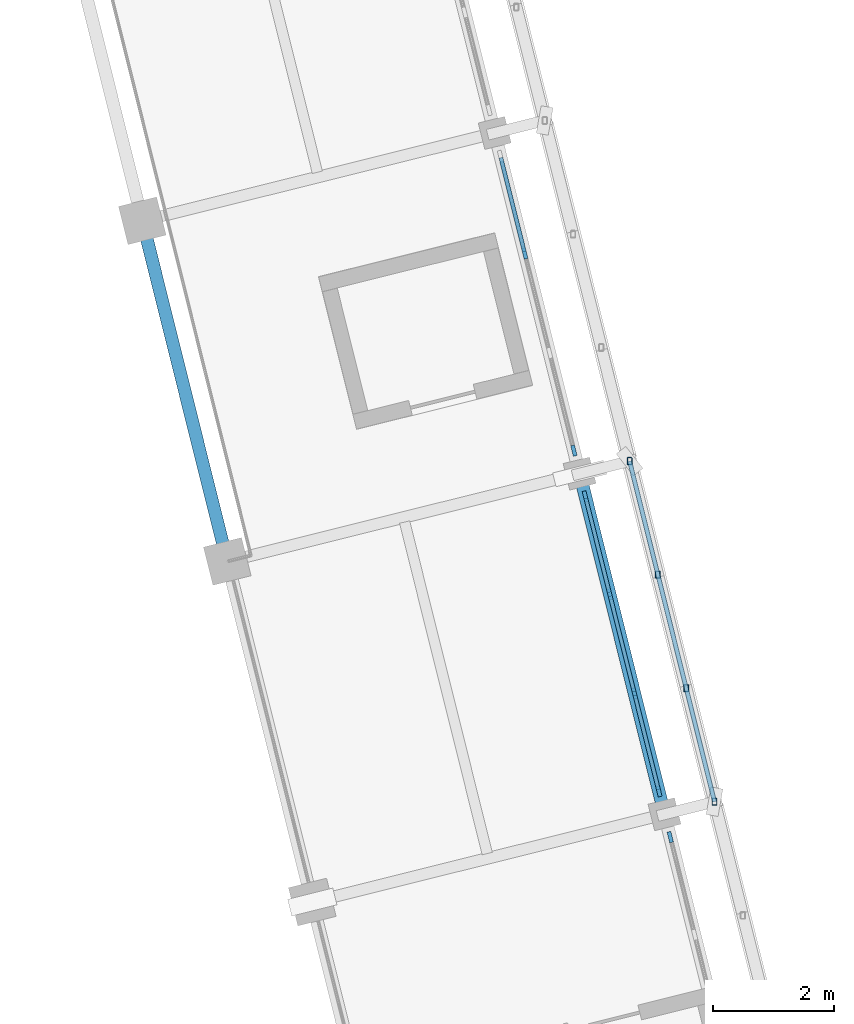
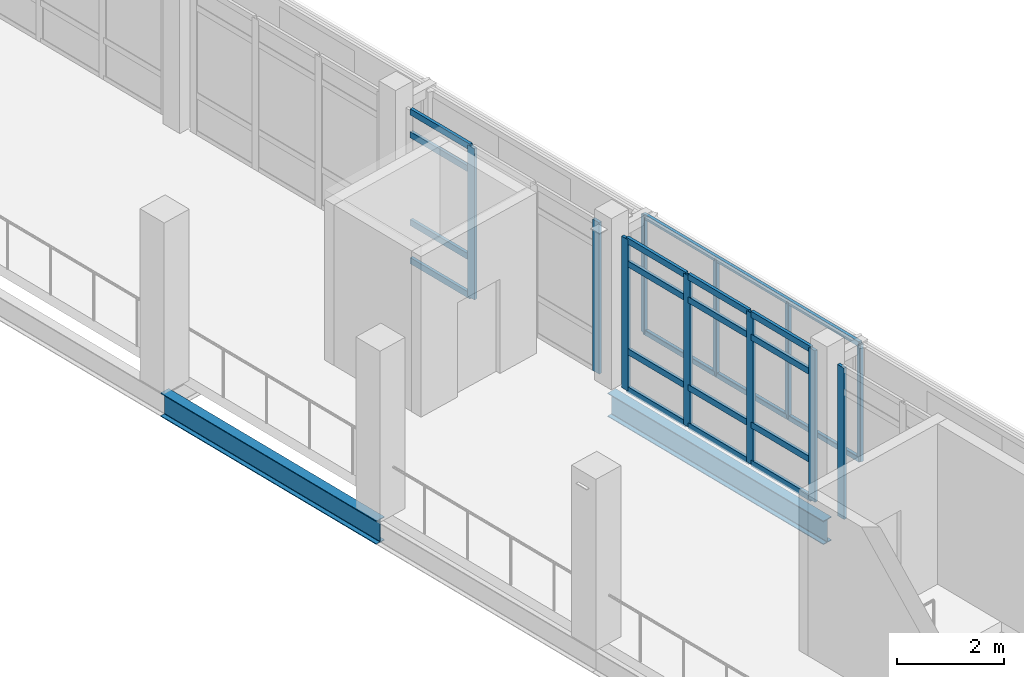
# One storey, part 20 of 117: 29 members, 2 beams, 3 elements without a shape of their own.
"""IFC4 building model written with IfcOpenShell, lengths in metres."""

from ifc_helpers import new_model, si_unit, direction, frame, origin, origin_2d, place, context, subcontext, project, spatial, rectangle, hollow_rectangle, i_section, extrude, material, material_profile, profile_set, type_object, element, aggregate, save


model = new_model("IFC4")

# Units and contexts
model_context = context("Model", 3, precision=1e-05, world=origin(), true_north=direction((0.0, 1.0)))
body_context = subcontext(model_context, "Body", "Model", "MODEL_VIEW")
ifc_project = project(units=[si_unit("LENGTHUNIT", "METRE"), si_unit("AREAUNIT", "SQUARE_METRE"), si_unit("VOLUMEUNIT", "CUBIC_METRE"), si_unit("PLANEANGLEUNIT", "RADIAN"), si_unit("MASSUNIT", "GRAM", prefix="KILO")], contexts=[model_context])

# Site, building, storey
site_placement = place(None, origin())
site = spatial("IfcSite", under=ifc_project, at=site_placement, CompositionType="ELEMENT")
building_placement = place(site_placement, origin())
building = spatial("IfcBuilding", under=site, at=building_placement, Name="Cinderway Yard Community Centre", CompositionType="ELEMENT")
storey_placement = place(building_placement, frame((0.0, 0.0, 9.0)))
storey = spatial("IfcBuildingStorey", under=building, at=storey_placement, Name="L02", CompositionType="ELEMENT", Elevation=9.0)

# Curtain wall, member
ifc_material_1 = material(Name="Aluminium 6063-T6", Category="aluminium")
curtain_wall_type = type_object("IfcCurtainWallType", Name="ENV-CW-TYPE-07", PredefinedType="USERDEFINED", material=ifc_material_1)
curtain_wall_1_placement = place(storey_placement, origin())
curtain_wall_1 = element("IfcCurtainWall", 1, at=curtain_wall_1_placement, inside=storey, type_object=curtain_wall_type, Name="Main Hall Courtyard Curtain Wall ENV-CW-L02-HS-0020", ObjectType="GLAZED CURTAIN WALL", PredefinedType="USERDEFINED")
ifc_material_profile_1 = material_profile(ifc_material_1, rectangle(XDim=0.06494140625, YDim=0.179931640625, at=origin_2d()), Name="Aluminium 6063-T6")
ifc_profile_set_1 = profile_set([ifc_material_profile_1], Name="Aluminium 6063-T6")
member_type_1 = type_object("IfcMemberType", Name="ENV-CW-MULL-180", PredefinedType="MULLION", material=ifc_profile_set_1)
member_1_placement = place(storey_placement, frame((51.490234375, 38.591796875, 0.0), z_axis=(0.0, 0.0, 1.0), x_axis=(-0.97030436752, -0.241887234827, 0.0)))
member_1 = element("IfcMember", 2, at=member_1_placement, type_object=member_type_1, Name="CW-07 mullion 4", PredefinedType="MULLION", context=body_context, shape_type="SweptSolid", body=[
    extrude(rectangle(XDim=0.06494140625, YDim=0.179931640625, at=origin_2d()), origin(), (0.0, 0.0, 1.0), 3.449951171875),
])
aggregate(curtain_wall_1, [member_1])

# Curtain wall, members
curtain_wall_2_placement = place(storey_placement, origin())
curtain_wall_2 = element("IfcCurtainWall", 3, at=curtain_wall_2_placement, inside=storey, type_object=curtain_wall_type, Name="Main Hall Courtyard Curtain Wall ENV-CW-L02-HS-0021", ObjectType="GLAZED CURTAIN WALL", PredefinedType="USERDEFINED")
member_2_placement = place(storey_placement, frame((51.3017578125, 39.34814453125, 0.0), z_axis=(0.0, 0.0, 1.0), x_axis=(-0.97030436752, -0.241887234827, 0.0)))
member_2 = element("IfcMember", 4, at=member_2_placement, type_object=member_type_1, Name="CW-07 mullion 1", PredefinedType="MULLION", context=body_context, shape_type="SweptSolid", body=[
    extrude(rectangle(XDim=0.06494140625, YDim=0.179931640625, at=origin_2d()), origin(), (0.0, 0.0, 1.0), 3.449951171875),
])
member_3_placement = place(storey_placement, frame((50.8994140625, 40.96240234375, 0.0), z_axis=(0.0, 0.0, 1.0), x_axis=(-0.97030436752, -0.241887234827, 0.0)))
member_3 = element("IfcMember", 5, at=member_3_placement, type_object=member_type_1, Name="CW-07 mullion 2", PredefinedType="MULLION", context=body_context, shape_type="SweptSolid", body=[
    extrude(rectangle(XDim=0.06494140625, YDim=0.179931640625, at=origin_2d()), origin(), (0.0, 0.0, 1.0), 3.449951171875),
])
member_4_placement = place(storey_placement, frame((50.48974609375, 42.605712890625, 0.0), z_axis=(0.0, 0.0, 1.0), x_axis=(-0.97030436752, -0.241887234827, 0.0)))
member_4 = element("IfcMember", 6, at=member_4_placement, type_object=member_type_1, Name="CW-07 mullion 3", PredefinedType="MULLION", context=body_context, shape_type="SweptSolid", body=[
    extrude(rectangle(XDim=0.06494140625, YDim=0.179931640625, at=origin_2d()), origin(), (0.0, 0.0, 1.0), 3.449951171875),
])
member_5_placement = place(storey_placement, frame((50.087158203125, 44.219970703125, 0.0), z_axis=(0.0, 0.0, 1.0), x_axis=(-0.97030436752, -0.241887234827, 0.0)))
member_5 = element("IfcMember", 7, at=member_5_placement, type_object=member_type_1, Name="CW-07 mullion 4", PredefinedType="MULLION", context=body_context, shape_type="SweptSolid", body=[
    extrude(rectangle(XDim=0.06494140625, YDim=0.179931640625, at=origin_2d()), origin(), (0.0, 0.0, 1.0), 3.449951171875),
])

curtain_wall_3_placement = place(storey_placement, origin())
curtain_wall_3 = element("IfcCurtainWall", 8, at=curtain_wall_3_placement, inside=storey, type_object=curtain_wall_type, Name="Main Hall Courtyard Curtain Wall ENV-CW-L02-HS-0022", ObjectType="GLAZED CURTAIN WALL", PredefinedType="USERDEFINED")
member_6_placement = place(storey_placement, frame((49.898681640625, 44.97607421875, 0.0), z_axis=(0.0, 0.0, 1.0), x_axis=(-0.970292848611, -0.241933436991, 0.0)))
member_6 = element("IfcMember", 9, at=member_6_placement, type_object=member_type_1, Name="CW-07 mullion 1", PredefinedType="MULLION", context=body_context, shape_type="SweptSolid", body=[
    extrude(rectangle(XDim=0.06494140625, YDim=0.179931640625, at=origin_2d()), origin(), (0.0, 0.0, 1.0), 3.449951171875),
])
member_7_placement = place(storey_placement, frame((49.086669921875, 48.23291015625, 0.0), z_axis=(0.0, 0.0, 1.0), x_axis=(-0.970292848611, -0.241933436991, 0.0)))
member_7 = element("IfcMember", 10, at=member_7_placement, type_object=member_type_1, Name="CW-07 mullion 3", PredefinedType="MULLION", context=body_context, shape_type="SweptSolid", body=[
    extrude(rectangle(XDim=0.06494140625, YDim=0.179931640625, at=origin_2d()), origin(), (0.0, 0.0, 1.0), 3.449951171875),
])

# Member
ifc_material_profile_2 = material_profile(ifc_material_1, rectangle(XDim=0.06494140625, YDim=0.139892578125, at=origin_2d()), Name="Aluminium 6063-T6")
ifc_profile_set_2 = profile_set([ifc_material_profile_2], Name="Aluminium 6063-T6")
member_type_2 = type_object("IfcMemberType", Name="ENV-CW-TRAN-140", PredefinedType="USERDEFINED", material=ifc_profile_set_2)
member_8_placement = place(storey_placement, frame((51.29443359375, 39.377197265625, 0.030029296875), z_axis=(-0.241926573916, 0.970294559829, 0.0), x_axis=(-0.970294559829, -0.241926573916, 0.0)))
member_8 = element("IfcMember", 11, at=member_8_placement, type_object=member_type_2, Name="CW-07 transom 1.1", ObjectType="TRANSOM", PredefinedType="USERDEFINED", context=body_context, shape_type="SweptSolid", body=[
    extrude(rectangle(XDim=0.06494140625, YDim=0.139892578125, at=origin_2d()), origin(), (0.0, 0.0, 1.0), 1.603515625),
])

member_9_placement = place(storey_placement, frame((51.29443359375, 39.377197265625, 0.89990234375), z_axis=(-0.241926573916, 0.970294559829, 0.0), x_axis=(-0.970294559829, -0.241926573916, 0.0)))
member_9 = element("IfcMember", 12, at=member_9_placement, type_object=member_type_2, Name="CW-07 transom 1.2", ObjectType="TRANSOM", PredefinedType="USERDEFINED", context=body_context, shape_type="SweptSolid", body=[
    extrude(rectangle(XDim=0.06494140625, YDim=0.139892578125, at=origin_2d()), origin(), (0.0, 0.0, 1.0), 1.603515625),
])

member_10_placement = place(storey_placement, frame((51.29443359375, 39.377197265625, 2.89990234375), z_axis=(-0.241926573916, 0.970294559829, 0.0), x_axis=(-0.970294559829, -0.241926573916, 0.0)))
member_10 = element("IfcMember", 13, at=member_10_placement, type_object=member_type_2, Name="CW-07 transom 1.3", ObjectType="TRANSOM", PredefinedType="USERDEFINED", context=body_context, shape_type="SweptSolid", body=[
    extrude(rectangle(XDim=0.06494140625, YDim=0.139892578125, at=origin_2d()), origin(), (0.0, 0.0, 1.0), 1.603515625),
])

member_11_placement = place(storey_placement, frame((51.29443359375, 39.377197265625, 3.419921875), z_axis=(-0.241926573916, 0.970294559829, 0.0), x_axis=(-0.970294559829, -0.241926573916, 0.0)))
member_11 = element("IfcMember", 14, at=member_11_placement, type_object=member_type_2, Name="CW-07 transom 1.4", ObjectType="TRANSOM", PredefinedType="USERDEFINED", context=body_context, shape_type="SweptSolid", body=[
    extrude(rectangle(XDim=0.06494140625, YDim=0.139892578125, at=origin_2d()), origin(), (0.0, 0.0, 1.0), 1.603515625),
])

member_12_placement = place(storey_placement, frame((50.89208984375, 40.991455078125, 0.030029296875), z_axis=(-0.241937832655, 0.970291752583, 0.0), x_axis=(-0.970291752583, -0.241937832655, 0.0)))
member_12 = element("IfcMember", 15, at=member_12_placement, type_object=member_type_2, Name="CW-07 transom 2.1", ObjectType="TRANSOM", PredefinedType="USERDEFINED", context=body_context, shape_type="SweptSolid", body=[
    extrude(rectangle(XDim=0.06494140625, YDim=0.139892578125, at=origin_2d()), origin(), (0.0, 0.0, 1.0), 1.6337890625),
])

member_13_placement = place(storey_placement, frame((50.89208984375, 40.991455078125, 0.89990234375), z_axis=(-0.241937832655, 0.970291752583, 0.0), x_axis=(-0.970291752583, -0.241937832655, 0.0)))
member_13 = element("IfcMember", 16, at=member_13_placement, type_object=member_type_2, Name="CW-07 transom 2.2", ObjectType="TRANSOM", PredefinedType="USERDEFINED", context=body_context, shape_type="SweptSolid", body=[
    extrude(rectangle(XDim=0.06494140625, YDim=0.139892578125, at=origin_2d()), origin(), (0.0, 0.0, 1.0), 1.6337890625),
])

member_14_placement = place(storey_placement, frame((50.89208984375, 40.991455078125, 2.89990234375), z_axis=(-0.241937832655, 0.970291752583, 0.0), x_axis=(-0.970291752583, -0.241937832655, 0.0)))
member_14 = element("IfcMember", 17, at=member_14_placement, type_object=member_type_2, Name="CW-07 transom 2.3", ObjectType="TRANSOM", PredefinedType="USERDEFINED", context=body_context, shape_type="SweptSolid", body=[
    extrude(rectangle(XDim=0.06494140625, YDim=0.139892578125, at=origin_2d()), origin(), (0.0, 0.0, 1.0), 1.6337890625),
])

member_15_placement = place(storey_placement, frame((50.89208984375, 40.991455078125, 3.419921875), z_axis=(-0.241937832655, 0.970291752583, 0.0), x_axis=(-0.970291752583, -0.241937832655, 0.0)))
member_15 = element("IfcMember", 18, at=member_15_placement, type_object=member_type_2, Name="CW-07 transom 2.4", ObjectType="TRANSOM", PredefinedType="USERDEFINED", context=body_context, shape_type="SweptSolid", body=[
    extrude(rectangle(XDim=0.06494140625, YDim=0.139892578125, at=origin_2d()), origin(), (0.0, 0.0, 1.0), 1.6337890625),
])

member_16_placement = place(storey_placement, frame((50.482421875, 42.634765625, 0.030029296875), z_axis=(-0.241926573916, 0.970294559829, 0.0), x_axis=(-0.970294559829, -0.241926573916, 0.0)))
member_16 = element("IfcMember", 19, at=member_16_placement, type_object=member_type_2, Name="CW-07 transom 3.1", ObjectType="TRANSOM", PredefinedType="USERDEFINED", context=body_context, shape_type="SweptSolid", body=[
    extrude(rectangle(XDim=0.06494140625, YDim=0.139892578125, at=origin_2d()), origin(), (0.0, 0.0, 1.0), 1.603515625),
])

member_17_placement = place(storey_placement, frame((50.482421875, 42.634765625, 0.89990234375), z_axis=(-0.241926573916, 0.970294559829, 0.0), x_axis=(-0.970294559829, -0.241926573916, 0.0)))
member_17 = element("IfcMember", 20, at=member_17_placement, type_object=member_type_2, Name="CW-07 transom 3.2", ObjectType="TRANSOM", PredefinedType="USERDEFINED", context=body_context, shape_type="SweptSolid", body=[
    extrude(rectangle(XDim=0.06494140625, YDim=0.139892578125, at=origin_2d()), origin(), (0.0, 0.0, 1.0), 1.603515625),
])

member_18_placement = place(storey_placement, frame((50.482421875, 42.634765625, 2.89990234375), z_axis=(-0.241926573916, 0.970294559829, 0.0), x_axis=(-0.970294559829, -0.241926573916, 0.0)))
member_18 = element("IfcMember", 21, at=member_18_placement, type_object=member_type_2, Name="CW-07 transom 3.3", ObjectType="TRANSOM", PredefinedType="USERDEFINED", context=body_context, shape_type="SweptSolid", body=[
    extrude(rectangle(XDim=0.06494140625, YDim=0.139892578125, at=origin_2d()), origin(), (0.0, 0.0, 1.0), 1.603515625),
])

member_19_placement = place(storey_placement, frame((50.482421875, 42.634765625, 3.419921875), z_axis=(-0.241926573916, 0.970294559829, 0.0), x_axis=(-0.970294559829, -0.241926573916, 0.0)))
member_19 = element("IfcMember", 22, at=member_19_placement, type_object=member_type_2, Name="CW-07 transom 3.4", ObjectType="TRANSOM", PredefinedType="USERDEFINED", context=body_context, shape_type="SweptSolid", body=[
    extrude(rectangle(XDim=0.06494140625, YDim=0.139892578125, at=origin_2d()), origin(), (0.0, 0.0, 1.0), 1.603515625),
])

aggregate(curtain_wall_2, [member_2, member_3, member_4, member_5, member_8, member_9, member_10, member_11, member_12, member_13, member_14, member_15, member_16, member_17, member_18, member_19])

member_20_placement = place(storey_placement, frame((49.079345703125, 48.26220703125, 0.030029296875), z_axis=(-0.241962318399, 0.970285646846, 0.0), x_axis=(-0.970285646846, -0.241962318399, 0.0)))
member_20 = element("IfcMember", 23, at=member_20_placement, type_object=member_type_2, Name="CW-07 transom 3.1", ObjectType="TRANSOM", PredefinedType="USERDEFINED", context=body_context, shape_type="SweptSolid", body=[
    extrude(rectangle(XDim=0.06494140625, YDim=0.139892578125, at=origin_2d()), origin(), (0.0, 0.0, 1.0), 1.603271484375),
])

member_21_placement = place(storey_placement, frame((49.079345703125, 48.26220703125, 0.89990234375), z_axis=(-0.241962318399, 0.970285646846, 0.0), x_axis=(-0.970285646846, -0.241962318399, 0.0)))
member_21 = element("IfcMember", 24, at=member_21_placement, type_object=member_type_2, Name="CW-07 transom 3.2", ObjectType="TRANSOM", PredefinedType="USERDEFINED", context=body_context, shape_type="SweptSolid", body=[
    extrude(rectangle(XDim=0.06494140625, YDim=0.139892578125, at=origin_2d()), origin(), (0.0, 0.0, 1.0), 1.603271484375),
])

member_22_placement = place(storey_placement, frame((49.079345703125, 48.26220703125, 2.89990234375), z_axis=(-0.241962318399, 0.970285646846, 0.0), x_axis=(-0.970285646846, -0.241962318399, 0.0)))
member_22 = element("IfcMember", 25, at=member_22_placement, type_object=member_type_2, Name="CW-07 transom 3.3", ObjectType="TRANSOM", PredefinedType="USERDEFINED", context=body_context, shape_type="SweptSolid", body=[
    extrude(rectangle(XDim=0.06494140625, YDim=0.139892578125, at=origin_2d()), origin(), (0.0, 0.0, 1.0), 1.603271484375),
])

member_23_placement = place(storey_placement, frame((49.079345703125, 48.26220703125, 3.419921875), z_axis=(-0.241962318399, 0.970285646846, 0.0), x_axis=(-0.970285646846, -0.241962318399, 0.0)))
member_23 = element("IfcMember", 26, at=member_23_placement, type_object=member_type_2, Name="CW-07 transom 3.4", ObjectType="TRANSOM", PredefinedType="USERDEFINED", context=body_context, shape_type="SweptSolid", body=[
    extrude(rectangle(XDim=0.06494140625, YDim=0.139892578125, at=origin_2d()), origin(), (0.0, 0.0, 1.0), 1.603271484375),
])

aggregate(curtain_wall_3, [member_6, member_7, member_20, member_21, member_22, member_23])

# Members
ifc_material_2 = material(Name="Steel S355", Category="steel")
ifc_material_profile_3 = material_profile(ifc_material_2, hollow_rectangle(XDim=0.080078125, YDim=0.1201171875, WallThickness=0.00634765625, InnerFilletRadius=0.00634765625, OuterFilletRadius=0.0126953125, at=origin_2d()), Name="Steel S355")
ifc_profile_set_3 = profile_set([ifc_material_profile_3], Name="Steel S355")
member_type_3 = type_object("IfcMemberType", Name="ENV-MEM-SCREEN-RAIL-120", PredefinedType="STRINGER", material=ifc_profile_set_3)
member_24_placement = place(storey_placement, frame((52.220947265625, 39.176025390625, 0.68994140625), z_axis=(0.0, 0.0, 1.0), x_axis=(1.0, 0.0, 0.0)))
element("IfcMember", 27, at=member_24_placement, inside=storey, type_object=member_type_3, Name="Screen vertical mullion 0902", PredefinedType="STRINGER", context=body_context, shape_type="SweptSolid", body=[
    extrude(hollow_rectangle(XDim=0.080078125, YDim=0.1201171875, WallThickness=0.00634765625, InnerFilletRadius=0.00634765625, OuterFilletRadius=0.0126953125, at=origin_2d()), origin(), (0.0, 0.0, 1.0), 2.670166015625),
])
for number, where, z_axis, x_axis, name in (
    (28, (52.220947265625, 39.176025390625, 0.7099609375), (-0.241862090534, 0.970310635396, 0.0), (-0.970310635396, -0.241862090534, 0.0), "Screen support rail 0904-BOT"),
    (29, (52.220947265625, 39.176025390625, 3.340087890625), (-0.241862090534, 0.970310635396, 0.0), (-0.970310635396, -0.241862090534, 0.0), "Screen support rail 0905-TOP"),
):
    element("IfcMember", number, at=place(storey_placement, frame(where, z_axis=z_axis, x_axis=x_axis)), inside=storey, type_object=member_type_3, Name=name, PredefinedType="STRINGER", context=body_context, shape_type="SweptSolid", body=[
        extrude(hollow_rectangle(XDim=0.080078125, YDim=0.1201171875, WallThickness=0.00634765625, InnerFilletRadius=0.00634765625, OuterFilletRadius=0.0126953125, at=origin_2d()), origin(), (0.0, 0.0, 1.0), 5.800048828125),
    ])
for number, where, z_axis, x_axis, name in (
    (30, (51.7529296875, 41.052001953125, 0.68994140625), (0.0, 0.0, 1.0), (1.0, 0.0, 0.0), "Screen vertical mullion 0906"),
    (31, (51.285888671875, 42.927978515625, 0.68994140625), (0.0, 0.0, 1.0), (1.0, 0.0, 0.0), "Screen vertical mullion 0907"),
    (32, (50.818115234375, 44.803955078125, 0.68994140625), (0.0, 0.0, 1.0), (1.0, 0.0, 0.0), "Screen vertical mullion 0908"),
):
    element("IfcMember", number, at=place(storey_placement, frame(where, z_axis=z_axis, x_axis=x_axis)), inside=storey, type_object=member_type_3, Name=name, PredefinedType="STRINGER", context=body_context, shape_type="SweptSolid", body=[
        extrude(hollow_rectangle(XDim=0.080078125, YDim=0.1201171875, WallThickness=0.00634765625, InnerFilletRadius=0.00634765625, OuterFilletRadius=0.0126953125, at=origin_2d()), origin(), (0.0, 0.0, 1.0), 2.670166015625),
    ])

# Beams
ifc_material_profile_4 = material_profile(ifc_material_2, i_section(OverallWidth=0.2109375, OverallDepth=0.5390625, WebThickness=0.010986328125, FlangeThickness=0.017333984375, FilletRadius=0.013916015625, at=origin_2d()), Name="Steel S355")
ifc_profile_set_4 = profile_set([ifc_material_profile_4], Name="Steel S355")
beam_type = type_object("IfcBeamType", Name="STR-BM-W530X109", PredefinedType="BEAM", material=ifc_profile_set_4)
beam_1_placement = place(storey_placement, frame((44.1708984375, 43.14599609375, -0.510009765625), z_axis=(-0.241862090534, 0.970310635396, 0.0), x_axis=(-0.970310635396, -0.241862090534, 0.0)))
element("IfcBeam", 33, at=beam_1_placement, inside=storey, type_object=beam_type, Name="Transverse girder STR-BM-L02-SB06-0352", PredefinedType="BEAM", context=body_context, shape_type="SweptSolid", body=[
    extrude(i_section(OverallWidth=0.2109375, OverallDepth=0.5390625, WebThickness=0.010986328125, FlangeThickness=0.017333984375, FilletRadius=0.013916015625, at=origin_2d()), origin(), (0.0, 0.0, 1.0), 5.800048828125),
])
beam_2_placement = place(storey_placement, frame((51.39599609375, 38.969970703125, -0.510009765625), z_axis=(-0.2419017199, 0.97030075642, 0.0), x_axis=(-0.97030075642, -0.2419017199, 0.0)))
element("IfcBeam", 34, at=beam_2_placement, inside=storey, type_object=beam_type, Name="Transverse girder STR-BM-L02-SB06-0358", PredefinedType="BEAM", context=body_context, shape_type="SweptSolid", body=[
    extrude(i_section(OverallWidth=0.2109375, OverallDepth=0.5390625, WebThickness=0.010986328125, FlangeThickness=0.017333984375, FilletRadius=0.013916015625, at=origin_2d()), origin(), (0.0, 0.0, 1.0), 5.80029296875),
])

save(model, "model.ifc")
